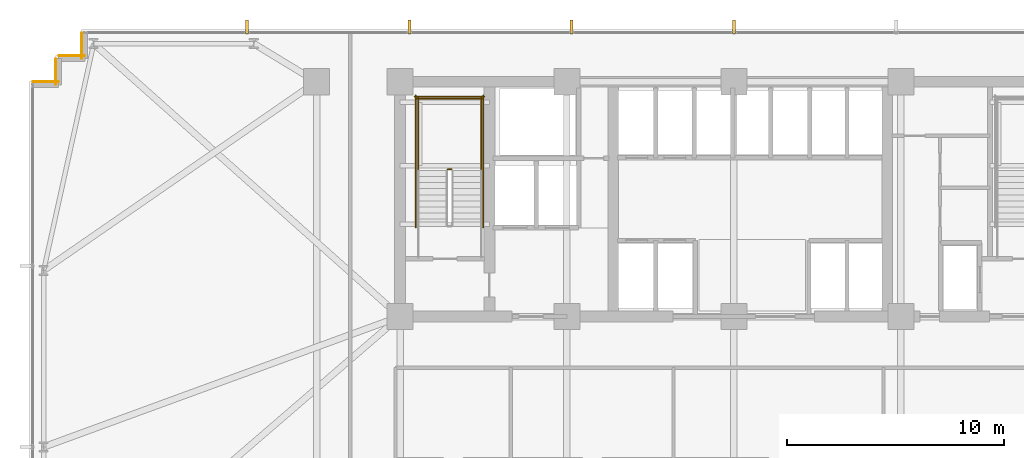
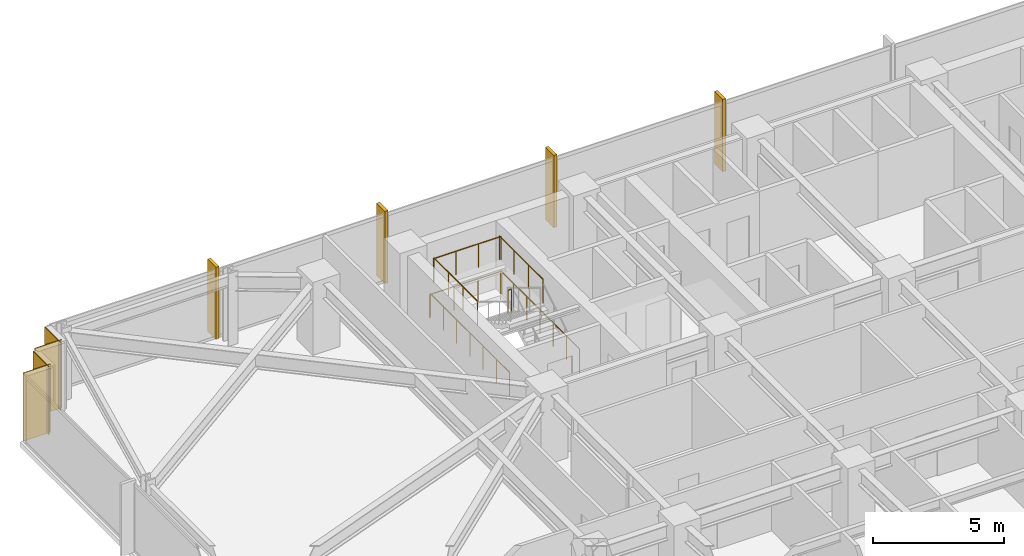
# One storey, part 31 of 33: 7 railings, 4 coverings, 4 shading devices.
"""IFC4 building model written with IfcOpenShell, lengths in metres."""

from ifc_helpers import new_model, si_unit, direction, frame, frame_2d, origin, origin_2d, place, context, subcontext, project, spatial, rectangle, circle, extrude, material, layer, layer_set, type_object, element, save


model = new_model("IFC4")

# Units and contexts
model_context = context("Model", 3, precision=1e-05, world=origin(), true_north=direction((0.0, 1.0)))
body_context = subcontext(model_context, "Body", "Model", "MODEL_VIEW")
ifc_project = project(units=[si_unit("LENGTHUNIT", "METRE"), si_unit("AREAUNIT", "SQUARE_METRE"), si_unit("VOLUMEUNIT", "CUBIC_METRE"), si_unit("PLANEANGLEUNIT", "RADIAN"), si_unit("MASSUNIT", "GRAM", prefix="KILO")], contexts=[model_context])

# Site, building, storey
site_placement = place(None, origin())
site = spatial("IfcSite", under=ifc_project, at=site_placement, CompositionType="ELEMENT")
building_placement = place(site_placement, origin())
building = spatial("IfcBuilding", under=site, at=building_placement, Name="Yelkora Congress Tower", CompositionType="ELEMENT")
storey_placement = place(building_placement, frame((0.0, 0.0, 54.199951171875)))
storey = spatial("IfcBuildingStorey", under=building, at=storey_placement, Name="L13", CompositionType="ELEMENT", Elevation=54.199951171875)

# Coverings
ifc_material_1 = material(Name="Anatolian bush-hammered limestone", Category="masonry")
ifc_layer_1 = layer(ifc_material_1, 0.0400390625)
ifc_layer_set_1 = layer_set([ifc_layer_1], Name="Anatolian bush-hammered limestone")
covering_type = type_object("IfcCoveringType", Name="COV-CLAD-SPANDREL-40", PredefinedType="CLADDING", material=ifc_layer_set_1)
covering_placement = place(storey_placement, frame((6.139892578125, 46.195068359375, 0.0), z_axis=(0.0, 0.0, 1.0), x_axis=(1.0, 0.0, 0.0)))
element("IfcCovering", 1, at=covering_placement, inside=storey, type_object=covering_type, Name="L13 Anatolian Limestone Cladding EW-L13-SR06", PredefinedType="CLADDING", context=body_context, shape_type="SweptSolid", body=[
    extrude(rectangle(XDim=1.2001953125, YDim=0.0400390625, at=frame_2d((0.60009765625, 0.0))), origin(), (0.0, 0.0, 1.0), 3.179931640625),
])
for number, where, z_axis, x_axis, name in (
    (2, (7.205078125, 46.06005859375, 0.0), (0.0, 0.0, 1.0), (0.0, 1.0, 0.0), "L13 Anatolian Limestone Cladding EW-L13-SR07"),
    (3, (7.340087890625, 47.39501953125, 0.0), (0.0, 0.0, 1.0), (1.0, 0.0, 0.0), "L13 Anatolian Limestone Cladding EW-L13-SR08"),
    (4, (8.405029296875, 47.260009765625, 0.0), (0.0, 0.0, 1.0), (0.0, 1.0, 0.0), "L13 Anatolian Limestone Cladding EW-L13-SR09"),
):
    element("IfcCovering", number, at=place(storey_placement, frame(where, z_axis=z_axis, x_axis=x_axis)), inside=storey, type_object=covering_type, Name=name, PredefinedType="CLADDING", context=body_context, shape_type="SweptSolid", body=[
        extrude(rectangle(XDim=1.199951171875, YDim=0.0400390625, at=frame_2d((0.60009765625, 0.0))), origin(), (0.0, 0.0, 1.0), 3.179931640625),
    ])

# Railings
ifc_material_2 = material(Name="Painted galvanised steel stair well guard with vertical infill", Category="steel")
ifc_layer_2 = layer(ifc_material_2, 0.06005859375)
ifc_layer_set_2 = layer_set([ifc_layer_2], Name="Painted galvanised steel stair well guard with vertical infill")
railing_type = type_object("IfcRailingType", Name="RAIL-STAIR-GUARD-1120", PredefinedType="GUARDRAIL", material=ifc_layer_set_2)
railing_1_placement = place(storey_placement, frame((25.39990234375, 42.169921875, 1.699951171875)))
element("IfcRailing", 5, at=railing_1_placement, inside=storey, type_object=railing_type, Name="ST-01 L13 Stair Well Guardrail 2", PredefinedType="GUARDRAIL", context=body_context, shape_type="SweptSolid", body=[
    extrude(circle(Radius=0.02392578125, at=origin_2d()), frame((0.0, 0.0, 1.09619140625), z_axis=(-1.0, 0.0, 0.0), x_axis=(0.0, -1.0, 0.0)), (0.0, 0.0, 1.0), 0.159912109375),
    extrude(circle(Radius=0.02099609375, at=origin_2d()), origin(), (0.0, 0.0, 1.0), 1.072021484375),
    extrude(circle(Radius=0.02099609375, at=origin_2d()), frame((-0.159912109375, 0.0, 0.0)), (0.0, 0.0, 1.0), 1.072021484375),
])
for number, where, name in (
    (6, (26.77001953125, 42.1201171875, 1.699951171875), "ST-01 L13 Stair Well Guardrail 3"),
    (7, (23.8701171875, 42.1201171875, 1.699951171875), "ST-01 L13 Stair Well Guardrail 4"),
):
    element("IfcRailing", number, at=place(storey_placement, frame(where)), inside=storey, type_object=railing_type, Name=name, PredefinedType="GUARDRAIL", context=body_context, shape_type="SweptSolid", body=[
        extrude(circle(Radius=0.02392578125, at=origin_2d()), frame((0.0, 0.0, 1.09619140625), z_axis=(0.0, 1.0, 0.0), x_axis=(-1.0, 0.0, 0.0)), (0.0, 0.0, 1.0), 3.349853515625),
        extrude(circle(Radius=0.02099609375, at=origin_2d()), origin(), (0.0, 0.0, 1.0), 1.072021484375),
        extrude(circle(Radius=0.02099609375, at=origin_2d()), frame((0.0, 1.11669921875, 0.0)), (0.0, 0.0, 1.0), 1.072021484375),
        extrude(circle(Radius=0.02099609375, at=origin_2d()), frame((0.0, 2.233154296875, 0.0)), (0.0, 0.0, 1.0), 1.072021484375),
        extrude(circle(Radius=0.02099609375, at=origin_2d()), frame((0.0, 3.349853515625, 0.0)), (0.0, 0.0, 1.0), 1.072021484375),
    ])
railing_2_placement = place(storey_placement, frame((26.820068359375, 45.419921875, 1.699951171875)))
element("IfcRailing", 8, at=railing_2_placement, inside=storey, type_object=railing_type, Name="ST-01 L13 Stair Well Guardrail 5", PredefinedType="GUARDRAIL", context=body_context, shape_type="SweptSolid", body=[
    extrude(circle(Radius=0.02392578125, at=origin_2d()), frame((0.0, 0.0, 1.09619140625), z_axis=(-1.0, 0.0, 0.0), x_axis=(0.0, -1.0, 0.0)), (0.0, 0.0, 1.0), 3.0),
    extrude(circle(Radius=0.02099609375, at=origin_2d()), origin(), (0.0, 0.0, 1.0), 1.072021484375),
    extrude(circle(Radius=0.02099609375, at=origin_2d()), frame((-1.0, 0.0, 0.0)), (0.0, 0.0, 1.0), 1.072021484375),
    extrude(circle(Radius=0.02099609375, at=origin_2d()), frame((-2.0, 0.0, 0.0)), (0.0, 0.0, 1.0), 1.072021484375),
    extrude(circle(Radius=0.02099609375, at=origin_2d()), frame((-3.0, 0.0, 0.0)), (0.0, 0.0, 1.0), 1.072021484375),
])
for number, where, name in (
    (9, (26.8701171875, 39.5, 0.0), "ST-01 L13 Stair Well Guardrail 10"),
    (10, (23.77001953125, 39.5, 0.0), "ST-01 L13 Stair Well Guardrail 11"),
):
    element("IfcRailing", number, at=place(storey_placement, frame(where)), inside=storey, type_object=railing_type, Name=name, PredefinedType="GUARDRAIL", context=body_context, shape_type="SweptSolid", body=[
        extrude(circle(Radius=0.02392578125, at=origin_2d()), frame((0.0, 0.0, 1.09619140625), z_axis=(0.0, 1.0, 0.0), x_axis=(-1.0, 0.0, 0.0)), (0.0, 0.0, 1.0), 6.070068359375),
        extrude(circle(Radius=0.02099609375, at=origin_2d()), origin(), (0.0, 0.0, 1.0), 1.072021484375),
        extrude(circle(Radius=0.02099609375, at=origin_2d()), frame((0.0, 1.01171875, 0.0)), (0.0, 0.0, 1.0), 1.072021484375),
        extrude(circle(Radius=0.02099609375, at=origin_2d()), frame((0.0, 2.0234375, 0.0)), (0.0, 0.0, 1.0), 1.072021484375),
        extrude(circle(Radius=0.02099609375, at=origin_2d()), frame((0.0, 3.03515625, 0.0)), (0.0, 0.0, 1.0), 1.072021484375),
        extrude(circle(Radius=0.02099609375, at=origin_2d()), frame((0.0, 4.046630859375, 0.0)), (0.0, 0.0, 1.0), 1.072021484375),
        extrude(circle(Radius=0.02099609375, at=origin_2d()), frame((0.0, 5.058349609375, 0.0)), (0.0, 0.0, 1.0), 1.072021484375),
        extrude(circle(Radius=0.02099609375, at=origin_2d()), frame((0.0, 6.070068359375, 0.0)), (0.0, 0.0, 1.0), 1.072021484375),
    ])
railing_3_placement = place(storey_placement, frame((26.919921875, 45.52001953125, 0.0)))
element("IfcRailing", 11, at=railing_3_placement, inside=storey, type_object=railing_type, Name="ST-01 L13 Stair Well Guardrail 12", PredefinedType="GUARDRAIL", context=body_context, shape_type="SweptSolid", body=[
    extrude(circle(Radius=0.02392578125, at=origin_2d()), frame((0.0, 0.0, 1.09619140625), z_axis=(-1.0, 0.0, 0.0), x_axis=(0.0, -1.0, 0.0)), (0.0, 0.0, 1.0), 3.199951171875),
    extrude(circle(Radius=0.02099609375, at=origin_2d()), origin(), (0.0, 0.0, 1.0), 1.072021484375),
    extrude(circle(Radius=0.02099609375, at=origin_2d()), frame((-1.066650390625, 0.0, 0.0)), (0.0, 0.0, 1.0), 1.072021484375),
    extrude(circle(Radius=0.02099609375, at=origin_2d()), frame((-2.13330078125, 0.0, 0.0)), (0.0, 0.0, 1.0), 1.072021484375),
    extrude(circle(Radius=0.02099609375, at=origin_2d()), frame((-3.199951171875, 0.0, 0.0)), (0.0, 0.0, 1.0), 1.072021484375),
])

# Shading devices
ifc_material_3 = material(Name="Champagne anodised aluminium", Category="aluminium")
ifc_layer_3 = layer(ifc_material_3, 3.39990234375)
ifc_layer_set_3 = layer_set([ifc_layer_3], Name="Champagne anodised aluminium")
shading_device_type = type_object("IfcShadingDeviceType", Name="SHD-FIN-ALU-640", PredefinedType="USERDEFINED", material=ifc_layer_set_3)
for number, where, z_axis, x_axis, name in (
    (12, (16.0048828125, 48.719970703125, -0.02978515625), (0.0, 0.0, 1.0), (1.0, 0.0, 0.0), "L13 Vertical Anodised Solar Fin 10-1"),
    (13, (23.469970703125, 48.719970703125, -0.02978515625), (0.0, 0.0, 1.0), (1.0, 0.0, 0.0), "L13 Vertical Anodised Solar Fin 10-2"),
    (14, (30.93505859375, 48.719970703125, -0.02978515625), (0.0, 0.0, 1.0), (1.0, 0.0, 0.0), "L13 Vertical Anodised Solar Fin 10-3"),
    (15, (38.39990234375, 48.719970703125, -0.02978515625), (0.0, 0.0, 1.0), (1.0, 0.0, 0.0), "L13 Vertical Anodised Solar Fin 10-4"),
):
    element("IfcShadingDevice", number, at=place(storey_placement, frame(where, z_axis=z_axis, x_axis=x_axis)), inside=storey, type_object=shading_device_type, Name=name, ObjectType="FIN", PredefinedType="USERDEFINED", context=body_context, shape_type="SweptSolid", body=[
        extrude(rectangle(XDim=0.139892578125, YDim=0.639892578125, at=origin_2d()), origin(), (0.0, 0.0, 1.0), 3.3798828125),
    ])

save(model, "model.ifc")
